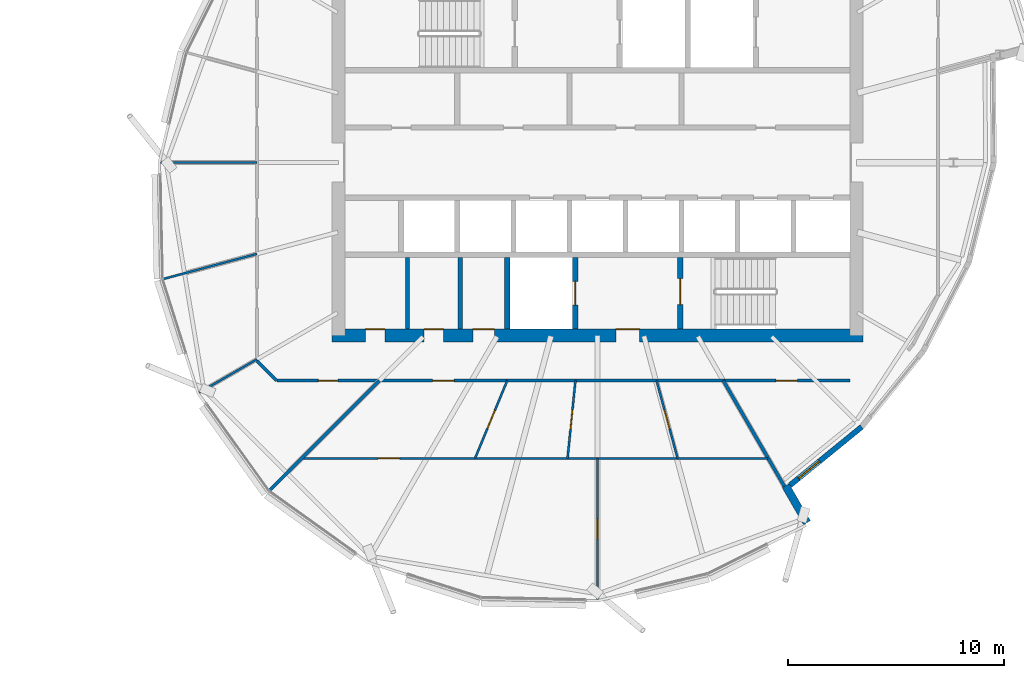
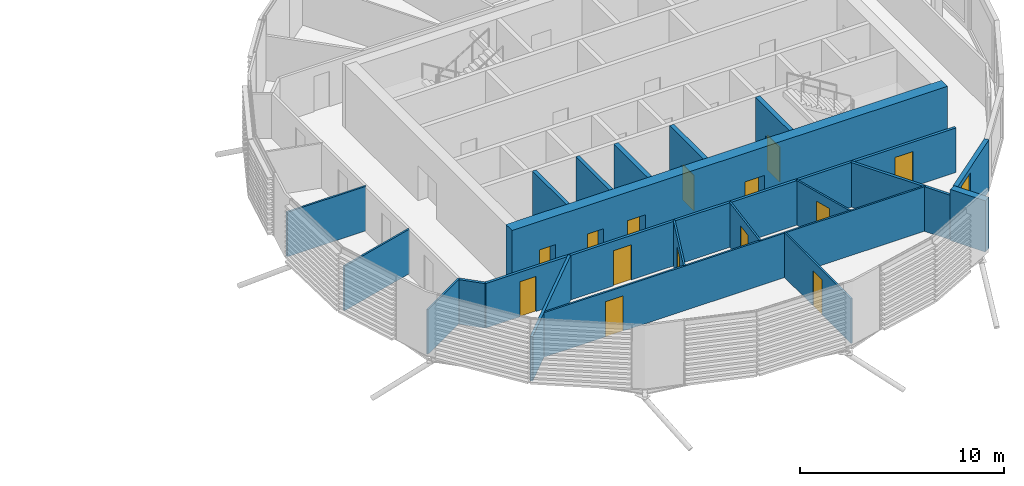
# One storey, part 21 of 36: 21 walls, 14 doors, 1 window, 15 openings.
"""IFC4 building model written with IfcOpenShell, lengths in metres."""

from ifc_helpers import new_model, si_unit, direction, frame, frame_2d, origin, place, context, subcontext, project, spatial, rectangle, extrude, material, layer, layer_set, type_object, element, fill, save


model = new_model("IFC4")

# Units and contexts
model_context = context("Model", 3, precision=1e-05, world=origin(), true_north=direction((0.0, 1.0)))
body_context = subcontext(model_context, "Body", "Model", "MODEL_VIEW")
ifc_project = project(units=[si_unit("LENGTHUNIT", "METRE"), si_unit("AREAUNIT", "SQUARE_METRE"), si_unit("VOLUMEUNIT", "CUBIC_METRE"), si_unit("PLANEANGLEUNIT", "RADIAN"), si_unit("MASSUNIT", "GRAM", prefix="KILO")], contexts=[model_context])

# Site, building, storey
site_placement = place(None, origin())
site = spatial("IfcSite", under=ifc_project, at=site_placement, CompositionType="ELEMENT")
building_placement = place(site_placement, origin())
building = spatial("IfcBuilding", under=site, at=building_placement, Name="Rimbun Link Towers", CompositionType="ELEMENT")
storey_placement = place(building_placement, frame((0.0, 0.0, 200.699951171875)))
storey = spatial("IfcBuildingStorey", under=building, at=storey_placement, Name="L49", CompositionType="ELEMENT", Elevation=200.699951171875)

# Wall, opening, window
ifc_material_1 = material(Name="Dark enamelled glass spandrel on insulated aluminium backpan", Category="aluminium")
ifc_layer_1 = layer(ifc_material_1, 0.25)
ifc_layer_set_1 = layer_set([ifc_layer_1], Name="CS dark enamelled spandrel wall 250")
wall_type_1 = type_object("IfcWallType", Name="CS dark enamelled spandrel wall 250", PredefinedType="STANDARD", material=ifc_layer_set_1)
wall_1_placement = place(storey_placement, frame((43.988037109375, -12.238037109375, 0.0), z_axis=(0.0, 0.0, 1.0), x_axis=(-0.775356930416, -0.631523262007, 0.0)))
wall_1 = element("IfcWall", 1, at=wall_1_placement, inside=storey, type_object=wall_type_1, Name="Crease spandrel wall", PredefinedType="STANDARD", context=body_context, shape_type="SweptSolid", body=[
    extrude(rectangle(XDim=4.2841796875, YDim=0.25, at=frame_2d((2.14208984375, 0.0))), origin(), (0.0, 0.0, 1.0), 3.05712890625),
])
opening_1_placement = place(wall_1_placement, frame((2.525390625, 0.0, 0.300048828125)))
opening_1 = element("IfcOpeningElement", 2, at=opening_1_placement, cuts=wall_1, Name="Opening WR12H245", PredefinedType="OPENING", context=body_context, shape_type="SweptSolid", body=[
    extrude(rectangle(XDim=1.25, YDim=2.449951171875, at=frame_2d((0.625, 1.22509765625))), frame((0.0, 0.135009765625, 0.0), z_axis=(0.0, -1.0, 0.0), x_axis=(1.0, 0.0, 0.0)), (0.0, 0.0, 1.0), 0.27001953125),
])
ifc_material_2 = material(Name="Aluminium framed fixed window, dark tinted low-e glass", Category="aluminium")
window_type = type_object("IfcWindowType", Name="WR ribbon window 1250X2450", PartitioningType="SINGLE_PANEL", PredefinedType="WINDOW", material=ifc_material_2)
window_placement = place(opening_1_placement, origin())
window = element("IfcWindow", 3, at=window_placement, inside=storey, type_object=window_type, Name="Crease ribbon window", OverallHeight=2.449951171875, OverallWidth=1.25, PartitioningType="SINGLE_PANEL", PredefinedType="WINDOW", context=body_context, shape_type="SweptSolid", body=[
    extrude(rectangle(XDim=1.25, YDim=2.449951171875, at=frame_2d((0.625, 1.22509765625))), frame((0.0, 0.030029296875, 0.0), z_axis=(0.0, -1.0, 0.0), x_axis=(1.0, 0.0, 0.0)), (0.0, 0.0, 1.0), 0.06005859375),
])
fill(opening_1, window)

# Walls
ifc_material_3 = material(Name="Dark enamelled glass spandrel on insulated aluminium backpan", Category="aluminium")
ifc_layer_2 = layer(ifc_material_3, 0.3701171875)
ifc_layer_set_2 = layer_set([ifc_layer_2], Name="CS dark enamelled spandrel wall 370")
wall_type_2 = type_object("IfcWallType", Name="CS dark enamelled spandrel wall 370", PredefinedType="STANDARD", material=ifc_layer_set_2)
wall_2_placement = place(storey_placement, frame((40.462890625, -14.961181640625, 0.0), z_axis=(0.0, 0.0, 1.0), x_axis=(0.499971491109, -0.866041862775, 0.0)))
element("IfcWall", 4, at=wall_2_placement, inside=storey, type_object=wall_type_2, Name="Crease spandrel wall", PredefinedType="STANDARD", context=body_context, shape_type="SweptSolid", body=[
    extrude(rectangle(XDim=1.97998046875, YDim=0.3701171875, at=frame_2d((0.989990234375, 0.0))), origin(), (0.0, 0.0, 1.0), 3.05712890625),
])
ifc_material_4 = material(Name="Masonry blockwork", Category="masonry")
ifc_layer_3 = layer(ifc_material_4, 0.199951171875)
ifc_layer_set_3 = layer_set([ifc_layer_3], Name="Core partition 200")
wall_type_3 = type_object("IfcWallType", Name="Core partition 200", PredefinedType="PARTITIONING", material=ifc_layer_set_3)
for number, where, z_axis, x_axis, name in (
    (5, (22.949951171875, -4.39990234375, 0.0), (0.0, 0.0, 1.0), (0.0, -1.0, 0.0), "L49 T2 core wall C1"),
    (6, (25.39990234375, -4.39990234375, 0.0), (0.0, 0.0, 1.0), (0.0, -1.0, 0.0), "L49 T2 core wall C2"),
):
    element("IfcWall", number, at=place(storey_placement, frame(where, z_axis=z_axis, x_axis=x_axis)), inside=storey, type_object=wall_type_3, Name=name, PredefinedType="PARTITIONING", context=body_context, shape_type="SweptSolid", body=[
        extrude(rectangle(XDim=3.300048828125, YDim=0.199951171875, at=frame_2d((1.64990234375, 0.0))), origin(), (0.0, 0.0, 1.0), 3.800048828125),
    ])

# Wall, openings, doors
ifc_material_5 = material(Name="Concrete C60/75", Category="concrete")
ifc_layer_4 = layer(ifc_material_5, 0.60009765625)
ifc_layer_set_4 = layer_set([ifc_layer_4], Name="Core shear wall 600")
wall_type_4 = type_object("IfcWallType", Name="Core shear wall 600", PredefinedType="SHEAR", material=ifc_layer_set_4)
wall_3_placement = place(storey_placement, frame((19.449951171875, -8.0, 0.0), z_axis=(0.0, 0.0, 1.0), x_axis=(1.0, 0.0, 0.0)))
wall_3 = element("IfcWall", 7, at=wall_3_placement, inside=storey, type_object=wall_type_4, Name="L49 T2 core wall S", PredefinedType="SHEAR", context=body_context, shape_type="SweptSolid", body=[
    extrude(rectangle(XDim=24.60009765625, YDim=0.60009765625, at=frame_2d((12.300048828125, 0.0))), origin(), (0.0, 0.0, 1.0), 3.800048828125),
])
opening_2_placement = place(wall_3_placement, frame((13.14990234375, 0.0, 0.0)))
opening_2 = element("IfcOpeningElement", 8, at=opening_2_placement, cuts=wall_3, Name="Opening C2DCF01S", PredefinedType="OPENING", context=body_context, shape_type="SweptSolid", body=[
    extrude(rectangle(XDim=1.10009765625, YDim=2.10009765625, at=frame_2d((0.550048828125, 1.050048828125))), frame((0.0, 0.31005859375, 0.0), z_axis=(0.0, -1.0, 0.0), x_axis=(1.0, 0.0, 0.0)), (0.0, 0.0, 1.0), 0.6201171875),
])
opening_3_placement = place(wall_3_placement, frame((1.550048828125, 0.0, 0.0)))
opening_3 = element("IfcOpeningElement", 9, at=opening_3_placement, cuts=wall_3, Name="Opening C2DWC02S", PredefinedType="OPENING", context=body_context, shape_type="SweptSolid", body=[
    extrude(rectangle(XDim=0.89990234375, YDim=2.10009765625, at=frame_2d((0.449951171875, 1.050048828125))), frame((0.0, 0.31005859375, 0.0), z_axis=(0.0, -1.0, 0.0), x_axis=(1.0, 0.0, 0.0)), (0.0, 0.0, 1.0), 0.6201171875),
])
opening_4_placement = place(wall_3_placement, frame((4.27490234375, 0.0, 0.0)))
opening_4 = element("IfcOpeningElement", 10, at=opening_4_placement, cuts=wall_3, Name="Opening C2DWC03S", PredefinedType="OPENING", context=body_context, shape_type="SweptSolid", body=[
    extrude(rectangle(XDim=0.89990234375, YDim=2.10009765625, at=frame_2d((0.449951171875, 1.050048828125))), frame((0.0, 0.31005859375, 0.0), z_axis=(0.0, -1.0, 0.0), x_axis=(1.0, 0.0, 0.0)), (0.0, 0.0, 1.0), 0.6201171875),
])
opening_5_placement = place(wall_3_placement, frame((6.52490234375, 0.0, 0.0)))
opening_5 = element("IfcOpeningElement", 11, at=opening_5_placement, cuts=wall_3, Name="Opening C2DAW04S", PredefinedType="OPENING", context=body_context, shape_type="SweptSolid", body=[
    extrude(rectangle(XDim=1.0, YDim=2.10009765625, at=frame_2d((0.5, 1.050048828125))), frame((0.0, 0.31005859375, 0.0), z_axis=(0.0, -1.0, 0.0), x_axis=(1.0, 0.0, 0.0)), (0.0, 0.0, 1.0), 0.6201171875),
])
ifc_material_6 = material(Name="Timber", Category="wood")
door_type_1 = type_object("IfcDoorType", Name="Accessible WC door", OperationType="SINGLE_SWING_LEFT", PredefinedType="DOOR", material=ifc_material_6)
door_1_placement = place(opening_5_placement, origin())
door_1 = element("IfcDoor", 12, at=door_1_placement, inside=storey, type_object=door_type_1, Name="L49 T2 accessible wc door", OperationType="SINGLE_SWING_RIGHT", OverallHeight=2.10009765625, OverallWidth=1.0, PredefinedType="DOOR", context=body_context, shape_type="SweptSolid", body=[
    extrude(rectangle(XDim=1.0, YDim=2.10009765625, at=frame_2d((0.5, 1.050048828125))), frame((0.0, 0.2998046875, 0.0), z_axis=(0.0, -1.0, 0.0), x_axis=(1.0, 0.0, 0.0)), (0.0, 0.0, 1.0), 0.050048828125),
])
fill(opening_5, door_1)
ifc_material_7 = material(Name="Steel fire door set", Category="steel")
door_type_2 = type_object("IfcDoorType", Name="Core fire door single", OperationType="SINGLE_SWING_LEFT", PredefinedType="DOOR", material=ifc_material_7)
door_2_placement = place(opening_2_placement, origin())
door_2 = element("IfcDoor", 13, at=door_2_placement, inside=storey, type_object=door_type_2, Name="L49 T2 firefighting lobby s door", OperationType="SINGLE_SWING_RIGHT", OverallHeight=2.10009765625, OverallWidth=1.10009765625, PredefinedType="DOOR", context=body_context, shape_type="SweptSolid", body=[
    extrude(rectangle(XDim=1.10009765625, YDim=2.10009765625, at=frame_2d((0.550048828125, 1.050048828125))), frame((0.0, 0.2998046875, 0.0), z_axis=(0.0, -1.0, 0.0), x_axis=(1.0, 0.0, 0.0)), (0.0, 0.0, 1.0), 0.050048828125),
])
fill(opening_2, door_2)
ifc_material_8 = material(Name="Timber", Category="wood")
door_type_3 = type_object("IfcDoorType", Name="WC door", OperationType="SINGLE_SWING_LEFT", PredefinedType="DOOR", material=ifc_material_8)
door_3_placement = place(opening_3_placement, origin())
door_3 = element("IfcDoor", 14, at=door_3_placement, inside=storey, type_object=door_type_3, Name="L49 T2 male wc door", OperationType="SINGLE_SWING_LEFT", OverallHeight=2.10009765625, OverallWidth=0.89990234375, PredefinedType="DOOR", context=body_context, shape_type="SweptSolid", body=[
    extrude(rectangle(XDim=0.89990234375, YDim=2.10009765625, at=frame_2d((0.449951171875, 1.050048828125))), frame((0.0, 0.2998046875, 0.0), z_axis=(0.0, -1.0, 0.0), x_axis=(1.0, 0.0, 0.0)), (0.0, 0.0, 1.0), 0.050048828125),
])
fill(opening_3, door_3)
door_4_placement = place(opening_4_placement, origin())
door_4 = element("IfcDoor", 15, at=door_4_placement, inside=storey, type_object=door_type_3, Name="L49 T2 female wc door", OperationType="SINGLE_SWING_RIGHT", OverallHeight=2.10009765625, OverallWidth=0.89990234375, PredefinedType="DOOR", context=body_context, shape_type="SweptSolid", body=[
    extrude(rectangle(XDim=0.89990234375, YDim=2.10009765625, at=frame_2d((0.449951171875, 1.050048828125))), frame((0.0, 0.2998046875, 0.0), z_axis=(0.0, -1.0, 0.0), x_axis=(1.0, 0.0, 0.0)), (0.0, 0.0, 1.0), 0.050048828125),
])
fill(opening_4, door_4)

ifc_material_9 = material(Name="Plasterboard on steel stud, mineral wool", Category="steel")
ifc_layer_5 = layer(ifc_material_9, 0.14990234375)
ifc_layer_set_5 = layer_set([ifc_layer_5], Name="Corridor wall EI 30 150 mm")
wall_type_5 = type_object("IfcWallType", Name="Corridor wall EI 30 150 mm", PredefinedType="PARTITIONING", material=ifc_layer_set_5)
wall_4_placement = place(storey_placement, frame((43.44873046875, -10.094970703125, 0.0), z_axis=(0.0, 0.0, 1.0), x_axis=(-1.0, 0.0, 0.0)))
wall_4 = element("IfcWall", 16, at=wall_4_placement, inside=storey, type_object=wall_type_5, Name="Corridor wall EI 30 150 mm", PredefinedType="PARTITIONING", context=body_context, shape_type="SweptSolid", body=[
    extrude(rectangle(XDim=26.552490234375, YDim=0.14990234375, at=frame_2d((13.2763671875, 0.0))), origin(), (0.0, 0.0, 1.0), 2.662109375),
])
opening_6_placement = place(wall_4_placement, frame((23.72314453125, 0.0, 0.0)))
opening_6 = element("IfcOpeningElement", 17, at=opening_6_placement, cuts=wall_4, Name="Opening D02", PredefinedType="OPENING", context=body_context, shape_type="SweptSolid", body=[
    extrude(rectangle(XDim=0.89990234375, YDim=2.10009765625, at=frame_2d((0.449951171875, 1.050048828125))), frame((0.0, 0.0849609375, 0.0), z_axis=(0.0, -1.0, 0.0), x_axis=(1.0, 0.0, 0.0)), (0.0, 0.0, 1.0), 0.169921875),
])
opening_7_placement = place(wall_4_placement, frame((18.336181640625, 0.0, 0.0)))
opening_7 = element("IfcOpeningElement", 18, at=opening_7_placement, cuts=wall_4, Name="Opening D01", PredefinedType="OPENING", context=body_context, shape_type="SweptSolid", body=[
    extrude(rectangle(XDim=1.0, YDim=2.10009765625, at=frame_2d((0.5, 1.050048828125))), frame((0.0, 0.0849609375, 0.0), z_axis=(0.0, -1.0, 0.0), x_axis=(1.0, 0.0, 0.0)), (0.0, 0.0, 1.0), 0.169921875),
])
opening_8_placement = place(wall_4_placement, frame((2.435302734375, 0.0, 0.0)))
opening_8 = element("IfcOpeningElement", 19, at=opening_8_placement, cuts=wall_4, Name="Opening D01", PredefinedType="OPENING", context=body_context, shape_type="SweptSolid", body=[
    extrude(rectangle(XDim=1.0, YDim=2.10009765625, at=frame_2d((0.5, 1.050048828125))), frame((0.0, 0.0849609375, 0.0), z_axis=(0.0, -1.0, 0.0), x_axis=(1.0, 0.0, 0.0)), (0.0, 0.0, 1.0), 0.169921875),
])
ifc_material_10 = material(Name="Fire-resisting timber door leaf", Category="wood")
door_type_4 = type_object("IfcDoorType", Name="Fire door FD30S 1000", OperationType="NOTDEFINED", PredefinedType="DOOR", material=ifc_material_10)
door_5_placement = place(opening_7_placement, origin())
door_5 = element("IfcDoor", 20, at=door_5_placement, inside=storey, type_object=door_type_4, Name="Fire door FD30S 1000 to Tenant lobby", OperationType="SINGLE_SWING_RIGHT", OverallHeight=2.10009765625, OverallWidth=1.0, PredefinedType="DOOR", context=body_context, shape_type="SweptSolid", body=[
    extrude(rectangle(XDim=1.0, YDim=2.10009765625, at=frame_2d((0.5, 1.050048828125))), frame((0.0, 0.02490234375, 0.0), z_axis=(0.0, -1.0, 0.0), x_axis=(1.0, 0.0, 0.0)), (0.0, 0.0, 1.0), 0.050048828125),
])
fill(opening_7, door_5)
door_6_placement = place(opening_8_placement, origin())
door_6 = element("IfcDoor", 21, at=door_6_placement, inside=storey, type_object=door_type_4, Name="Fire door FD30S 1000 to Terrace office", OperationType="SINGLE_SWING_LEFT", OverallHeight=2.10009765625, OverallWidth=1.0, PredefinedType="DOOR", context=body_context, shape_type="SweptSolid", body=[
    extrude(rectangle(XDim=1.0, YDim=2.10009765625, at=frame_2d((0.5, 1.050048828125))), frame((0.0, 0.02490234375, 0.0), z_axis=(0.0, -1.0, 0.0), x_axis=(1.0, 0.0, 0.0)), (0.0, 0.0, 1.0), 0.050048828125),
])
fill(opening_8, door_6)
ifc_material_11 = material(Name="Fire-resisting timber door leaf", Category="wood")
door_type_5 = type_object("IfcDoorType", Name="Fire door FD30S 900", OperationType="NOTDEFINED", PredefinedType="DOOR", material=ifc_material_11)
door_7_placement = place(opening_6_placement, origin())
door_7 = element("IfcDoor", 22, at=door_7_placement, inside=storey, type_object=door_type_5, Name="Fire door FD30S 900 to Trading floor", OperationType="SINGLE_SWING_LEFT", OverallHeight=2.10009765625, OverallWidth=0.89990234375, PredefinedType="DOOR", context=body_context, shape_type="SweptSolid", body=[
    extrude(rectangle(XDim=0.89990234375, YDim=2.10009765625, at=frame_2d((0.449951171875, 1.050048828125))), frame((0.0, 0.02490234375, 0.0), z_axis=(0.0, -1.0, 0.0), x_axis=(1.0, 0.0, 0.0)), (0.0, 0.0, 1.0), 0.050048828125),
])
fill(opening_6, door_7)

# Walls
wall_5_placement = place(storey_placement, frame((15.97509765625, -9.173583984375, 0.0), z_axis=(0.0, 0.0, 1.0), x_axis=(0.707013081223, -0.707200468735, 0.0)))
element("IfcWall", 23, at=wall_5_placement, inside=storey, type_object=wall_type_5, Name="Corridor wall EI 30 150 mm", PredefinedType="PARTITIONING", context=body_context, shape_type="SweptSolid", body=[
    extrude(rectangle(XDim=1.302978515625, YDim=0.14990234375, at=frame_2d((0.6513671875, 0.0))), origin(), (0.0, 0.0, 1.0), 2.662109375),
])
ifc_material_12 = material(Name="Plasterboard on steel stud", Category="steel")
ifc_layer_6 = layer(ifc_material_12, 0.10009765625)
ifc_layer_set_6 = layer_set([ifc_layer_6], Name="Plasterboard partition 100 mm")
wall_type_6 = type_object("IfcWallType", Name="Plasterboard partition 100 mm", PredefinedType="PARTITIONING", material=ifc_layer_set_6)
wall_6_placement = place(storey_placement, frame((11.514892578125, 0.0, 0.0), z_axis=(0.0, 0.0, 1.0), x_axis=(1.0, 0.0, 0.0)))
element("IfcWall", 24, at=wall_6_placement, inside=storey, type_object=wall_type_6, Name="Plasterboard partition 100 mm", PredefinedType="PARTITIONING", context=body_context, shape_type="SweptSolid", body=[
    extrude(rectangle(XDim=4.460205078125, YDim=0.10009765625, at=frame_2d((2.22998046875, 0.0))), origin(), (0.0, 0.0, 1.0), 2.662109375),
])
wall_7_placement = place(storey_placement, frame((11.62841796875, -5.3916015625, 0.0), z_axis=(0.0, 0.0, 1.0), x_axis=(0.965919958881, 0.258840941576, 0.0)))
element("IfcWall", 25, at=wall_7_placement, inside=storey, type_object=wall_type_6, Name="Plasterboard partition 100 mm", PredefinedType="PARTITIONING", context=body_context, shape_type="SweptSolid", body=[
    extrude(rectangle(XDim=4.5, YDim=0.10009765625, at=frame_2d((2.25, 0.0))), origin(), (0.0, 0.0, 1.0), 2.662109375),
])
wall_8_placement = place(storey_placement, frame((13.30126953125, -10.6513671875, 0.0), z_axis=(0.0, 0.0, 1.0), x_axis=(0.866030202489, 0.499991688307, 0.0)))
element("IfcWall", 26, at=wall_8_placement, inside=storey, type_object=wall_type_6, Name="Plasterboard partition 100 mm", PredefinedType="PARTITIONING", context=body_context, shape_type="SweptSolid", body=[
    extrude(rectangle(XDim=3.08740234375, YDim=0.10009765625, at=frame_2d((1.543701171875, 0.0))), origin(), (0.0, 0.0, 1.0), 2.662109375),
])

# Wall, opening, door
wall_9_placement = place(storey_placement, frame((27.570068359375, -10.094970703125, 0.0), z_axis=(0.0, 0.0, 1.0), x_axis=(-0.382576833691, -0.923923679923, 0.0)))
wall_9 = element("IfcWall", 27, at=wall_9_placement, inside=storey, type_object=wall_type_6, Name="Plasterboard partition 100 mm", PredefinedType="PARTITIONING", context=body_context, shape_type="SweptSolid", body=[
    extrude(rectangle(XDim=3.896484375, YDim=0.10009765625, at=frame_2d((1.9482421875, 0.0))), origin(), (0.0, 0.0, 1.0), 2.662109375),
])
opening_9_placement = place(wall_9_placement, frame((1.498291015625, 0.0, 0.0)))
opening_9 = element("IfcOpeningElement", 28, at=opening_9_placement, cuts=wall_9, Name="Opening D04", PredefinedType="OPENING", context=body_context, shape_type="SweptSolid", body=[
    extrude(rectangle(XDim=0.89990234375, YDim=2.10009765625, at=frame_2d((0.449951171875, 1.050048828125))), frame((0.0, 0.06005859375, 0.0), z_axis=(0.0, -1.0, 0.0), x_axis=(1.0, 0.0, 0.0)), (0.0, 0.0, 1.0), 0.1201171875),
])
ifc_material_13 = material(Name="Timber door leaf", Category="wood")
door_type_6 = type_object("IfcDoorType", Name="Flush door 900", OperationType="NOTDEFINED", PredefinedType="DOOR", material=ifc_material_13)
door_8_placement = place(opening_9_placement, origin())
door_8 = element("IfcDoor", 29, at=door_8_placement, inside=storey, type_object=door_type_6, Name="Flush door 900 to Huddle room", OperationType="SINGLE_SWING_LEFT", OverallHeight=2.10009765625, OverallWidth=0.89990234375, PredefinedType="DOOR", context=body_context, shape_type="SweptSolid", body=[
    extrude(rectangle(XDim=0.89990234375, YDim=2.10009765625, at=frame_2d((0.449951171875, 1.050048828125))), frame((0.0, 0.02490234375, 0.0), z_axis=(0.0, -1.0, 0.0), x_axis=(1.0, 0.0, 0.0)), (0.0, 0.0, 1.0), 0.050048828125),
])
fill(opening_9, door_8)

wall_10_placement = place(storey_placement, frame((31.75, -13.695068359375, 0.0), z_axis=(0.0, 0.0, 1.0), x_axis=(-1.0, 0.0, 0.0)))
wall_10 = element("IfcWall", 30, at=wall_10_placement, inside=storey, type_object=wall_type_6, Name="Plasterboard partition 100 mm", PredefinedType="PARTITIONING", context=body_context, shape_type="SweptSolid", body=[
    extrude(rectangle(XDim=13.695068359375, YDim=0.10009765625, at=frame_2d((6.84765625, 0.0))), origin(), (0.0, 0.0, 1.0), 2.662109375),
])
opening_10_placement = place(wall_10_placement, frame((9.16650390625, 0.0, 0.0)))
opening_10 = element("IfcOpeningElement", 31, at=opening_10_placement, cuts=wall_10, Name="Opening D03", PredefinedType="OPENING", context=body_context, shape_type="SweptSolid", body=[
    extrude(rectangle(XDim=1.0, YDim=2.10009765625, at=frame_2d((0.5, 1.050048828125))), frame((0.0, 0.06005859375, 0.0), z_axis=(0.0, -1.0, 0.0), x_axis=(1.0, 0.0, 0.0)), (0.0, 0.0, 1.0), 0.1201171875),
])
ifc_material_14 = material(Name="Timber door leaf", Category="wood")
door_type_7 = type_object("IfcDoorType", Name="Flush door 1000", OperationType="NOTDEFINED", PredefinedType="DOOR", material=ifc_material_14)
door_9_placement = place(opening_10_placement, origin())
door_9 = element("IfcDoor", 32, at=door_9_placement, inside=storey, type_object=door_type_7, Name="Flush door 1000 to Open office", OperationType="SINGLE_SWING_RIGHT", OverallHeight=2.10009765625, OverallWidth=1.0, PredefinedType="DOOR", context=body_context, shape_type="SweptSolid", body=[
    extrude(rectangle(XDim=1.0, YDim=2.10009765625, at=frame_2d((0.5, 1.050048828125))), frame((0.0, 0.02490234375, 0.0), z_axis=(0.0, -1.0, 0.0), x_axis=(1.0, 0.0, 0.0)), (0.0, 0.0, 1.0), 0.050048828125),
])
fill(opening_10, door_9)

wall_11_placement = place(storey_placement, frame((30.728759765625, -10.094970703125, 0.0), z_axis=(0.0, 0.0, 1.0), x_axis=(-0.100666014528, -0.994920274956, 0.0)))
wall_11 = element("IfcWall", 33, at=wall_11_placement, inside=storey, type_object=wall_type_6, Name="Plasterboard partition 100 mm", PredefinedType="PARTITIONING", context=body_context, shape_type="SweptSolid", body=[
    extrude(rectangle(XDim=3.618408203125, YDim=0.10009765625, at=frame_2d((1.80908203125, 0.0))), origin(), (0.0, 0.0, 1.0), 2.662109375),
])
opening_11_placement = place(wall_11_placement, frame((1.359130859375, 0.0, 0.0)))
opening_11 = element("IfcOpeningElement", 34, at=opening_11_placement, cuts=wall_11, Name="Opening D04", PredefinedType="OPENING", context=body_context, shape_type="SweptSolid", body=[
    extrude(rectangle(XDim=0.89990234375, YDim=2.10009765625, at=frame_2d((0.449951171875, 1.050048828125))), frame((0.0, 0.06005859375, 0.0), z_axis=(0.0, -1.0, 0.0), x_axis=(1.0, 0.0, 0.0)), (0.0, 0.0, 1.0), 0.1201171875),
])
door_10_placement = place(opening_11_placement, origin())
door_10 = element("IfcDoor", 35, at=door_10_placement, inside=storey, type_object=door_type_6, Name="Flush door 900 to Huddle room", OperationType="SINGLE_SWING_RIGHT", OverallHeight=2.10009765625, OverallWidth=0.89990234375, PredefinedType="DOOR", context=body_context, shape_type="SweptSolid", body=[
    extrude(rectangle(XDim=0.89990234375, YDim=2.10009765625, at=frame_2d((0.449951171875, 1.050048828125))), frame((0.0, 0.02490234375, 0.0), z_axis=(0.0, -1.0, 0.0), x_axis=(1.0, 0.0, 0.0)), (0.0, 0.0, 1.0), 0.050048828125),
])
fill(opening_11, door_10)

wall_12_placement = place(storey_placement, frame((34.486572265625, -10.094970703125, 0.0), z_axis=(0.0, 0.0, 1.0), x_axis=(0.261616196564, -0.965171987625, 0.0)))
wall_12 = element("IfcWall", 36, at=wall_12_placement, inside=storey, type_object=wall_type_6, Name="Plasterboard partition 100 mm", PredefinedType="PARTITIONING", context=body_context, shape_type="SweptSolid", body=[
    extrude(rectangle(XDim=3.72998046875, YDim=0.10009765625, at=frame_2d((1.864990234375, 0.0))), origin(), (0.0, 0.0, 1.0), 2.662109375),
])
opening_12_placement = place(wall_12_placement, frame((1.4150390625, 0.0, 0.0)))
opening_12 = element("IfcOpeningElement", 37, at=opening_12_placement, cuts=wall_12, Name="Opening D04", PredefinedType="OPENING", context=body_context, shape_type="SweptSolid", body=[
    extrude(rectangle(XDim=0.89990234375, YDim=2.10009765625, at=frame_2d((0.449951171875, 1.050048828125))), frame((0.0, 0.06005859375, 0.0), z_axis=(0.0, -1.0, 0.0), x_axis=(1.0, 0.0, 0.0)), (0.0, 0.0, 1.0), 0.1201171875),
])
door_11_placement = place(opening_12_placement, origin())
door_11 = element("IfcDoor", 38, at=door_11_placement, inside=storey, type_object=door_type_6, Name="Flush door 900 to Pantry", OperationType="SINGLE_SWING_LEFT", OverallHeight=2.10009765625, OverallWidth=0.89990234375, PredefinedType="DOOR", context=body_context, shape_type="SweptSolid", body=[
    extrude(rectangle(XDim=0.89990234375, YDim=2.10009765625, at=frame_2d((0.449951171875, 1.050048828125))), frame((0.0, 0.02490234375, 0.0), z_axis=(0.0, -1.0, 0.0), x_axis=(1.0, 0.0, 0.0)), (0.0, 0.0, 1.0), 0.050048828125),
])
fill(opening_12, door_11)

# Wall
wall_13_placement = place(storey_placement, frame((31.75, -13.695068359375, 0.0), z_axis=(0.0, 0.0, 1.0), x_axis=(1.0, 0.0, 0.0)))
element("IfcWall", 39, at=wall_13_placement, inside=storey, type_object=wall_type_6, Name="Plasterboard partition 100 mm", PredefinedType="PARTITIONING", context=body_context, shape_type="SweptSolid", body=[
    extrude(rectangle(XDim=7.906982421875, YDim=0.10009765625, at=frame_2d((3.95361328125, 0.0))), origin(), (0.0, 0.0, 1.0), 2.662109375),
])

# Wall, opening, door
wall_14_placement = place(storey_placement, frame((31.75, -13.695068359375, 0.0), z_axis=(0.0, 0.0, 1.0), x_axis=(0.0, -1.0, 0.0)))
wall_14 = element("IfcWall", 40, at=wall_14_placement, inside=storey, type_object=wall_type_6, Name="Plasterboard partition 100 mm", PredefinedType="PARTITIONING", context=body_context, shape_type="SweptSolid", body=[
    extrude(rectangle(XDim=6.5400390625, YDim=0.10009765625, at=frame_2d((3.27001953125, 0.0))), origin(), (0.0, 0.0, 1.0), 2.662109375),
])
opening_13_placement = place(wall_14_placement, frame((2.820068359375, 0.0, 0.0)))
opening_13 = element("IfcOpeningElement", 41, at=opening_13_placement, cuts=wall_14, Name="Opening D04", PredefinedType="OPENING", context=body_context, shape_type="SweptSolid", body=[
    extrude(rectangle(XDim=0.89990234375, YDim=2.10009765625, at=frame_2d((0.449951171875, 1.050048828125))), frame((0.0, 0.06005859375, 0.0), z_axis=(0.0, -1.0, 0.0), x_axis=(1.0, 0.0, 0.0)), (0.0, 0.0, 1.0), 0.1201171875),
])
door_12_placement = place(opening_13_placement, origin())
door_12 = element("IfcDoor", 42, at=door_12_placement, inside=storey, type_object=door_type_6, Name="Flush door 900 to Project room", OperationType="SINGLE_SWING_LEFT", OverallHeight=2.10009765625, OverallWidth=0.89990234375, PredefinedType="DOOR", context=body_context, shape_type="SweptSolid", body=[
    extrude(rectangle(XDim=0.89990234375, YDim=2.10009765625, at=frame_2d((0.449951171875, 1.050048828125))), frame((0.0, 0.02490234375, 0.0), z_axis=(0.0, -1.0, 0.0), x_axis=(1.0, 0.0, 0.0)), (0.0, 0.0, 1.0), 0.050048828125),
])
fill(opening_13, door_12)

ifc_material_15 = material(Name="Concrete C60/75", Category="concrete")
ifc_layer_7 = layer(ifc_material_15, 0.25)
ifc_layer_set_7 = layer_set([ifc_layer_7], Name="Shaft wall 250")
wall_type_7 = type_object("IfcWallType", Name="Shaft wall 250", PredefinedType="SHEAR", material=ifc_layer_set_7)
wall_15_placement = place(storey_placement, frame((35.574951171875, -4.39990234375, 0.0), z_axis=(0.0, 0.0, 1.0), x_axis=(0.0, -1.0, 0.0)))
wall_15 = element("IfcWall", 43, at=wall_15_placement, inside=storey, type_object=wall_type_7, Name="L49 T2 core wall B1", PredefinedType="SHEAR", context=body_context, shape_type="SweptSolid", body=[
    extrude(rectangle(XDim=3.300048828125, YDim=0.25, at=frame_2d((1.64990234375, 0.0))), origin(), (0.0, 0.0, 1.0), 3.800048828125),
])
opening_14_placement = place(wall_15_placement, frame((0.97509765625, 0.0, 0.0)))
opening_14 = element("IfcOpeningElement", 44, at=opening_14_placement, cuts=wall_15, Name="Opening C2DST01B1", PredefinedType="OPENING", context=body_context, shape_type="SweptSolid", body=[
    extrude(rectangle(XDim=1.199951171875, YDim=2.10009765625, at=frame_2d((0.60009765625, 1.050048828125))), frame((0.0, 0.135009765625, 0.0), z_axis=(0.0, -1.0, 0.0), x_axis=(1.0, 0.0, 0.0)), (0.0, 0.0, 1.0), 0.27001953125),
])
ifc_material_16 = material(Name="Steel fire door set", Category="steel")
door_type_8 = type_object("IfcDoorType", Name="Stair door", OperationType="SINGLE_SWING_LEFT", PredefinedType="DOOR", material=ifc_material_16)
door_13_placement = place(opening_14_placement, origin())
door_13 = element("IfcDoor", 45, at=door_13_placement, inside=storey, type_object=door_type_8, Name="L49 T2 stair b door", OperationType="SINGLE_SWING_RIGHT", OverallHeight=2.10009765625, OverallWidth=1.199951171875, PredefinedType="DOOR", context=body_context, shape_type="SweptSolid", body=[
    extrude(rectangle(XDim=1.199951171875, YDim=2.10009765625, at=frame_2d((0.60009765625, 1.050048828125))), frame((0.0, 0.02490234375, 0.0), z_axis=(0.0, -1.0, 0.0), x_axis=(1.0, 0.0, 0.0)), (0.0, 0.0, 1.0), 0.050048828125),
])
fill(opening_14, door_13)

wall_16_placement = place(storey_placement, frame((30.72509765625, -4.39990234375, 0.0), z_axis=(0.0, 0.0, 1.0), x_axis=(0.0, -1.0, 0.0)))
wall_16 = element("IfcWall", 46, at=wall_16_placement, inside=storey, type_object=wall_type_7, Name="L49 T2 core wall B2", PredefinedType="SHEAR", context=body_context, shape_type="SweptSolid", body=[
    extrude(rectangle(XDim=3.300048828125, YDim=0.25, at=frame_2d((1.64990234375, 0.0))), origin(), (0.0, 0.0, 1.0), 3.800048828125),
])
opening_15_placement = place(wall_16_placement, frame((1.10009765625, 0.0, 0.0)))
opening_15 = element("IfcOpeningElement", 47, at=opening_15_placement, cuts=wall_16, Name="Opening LD-T2-FF2", PredefinedType="OPENING", context=body_context, shape_type="SweptSolid", body=[
    extrude(rectangle(XDim=1.10009765625, YDim=2.10009765625, at=frame_2d((0.550048828125, 1.050048828125))), frame((0.0, 0.135009765625, 0.0), z_axis=(0.0, -1.0, 0.0), x_axis=(1.0, 0.0, 0.0)), (0.0, 0.0, 1.0), 0.27001953125),
])
ifc_material_17 = material(Name="Stainless steel grade 316", Category="steel")
door_type_9 = type_object("IfcDoorType", Name="Lift landing door", OperationType="DOUBLE_DOOR_SLIDING", PredefinedType="DOOR", material=ifc_material_17)
door_14_placement = place(opening_15_placement, origin())
door_14 = element("IfcDoor", 48, at=door_14_placement, inside=storey, type_object=door_type_9, Name="L49 T2 lift FF2 landing door", OperationType="DOUBLE_DOOR_SLIDING", OverallHeight=2.10009765625, OverallWidth=1.10009765625, PredefinedType="DOOR", context=body_context, shape_type="SweptSolid", body=[
    extrude(rectangle(XDim=1.10009765625, YDim=2.10009765625, at=frame_2d((0.550048828125, 1.050048828125))), frame((0.0, 0.02490234375, 0.0), z_axis=(0.0, -1.0, 0.0), x_axis=(1.0, 0.0, 0.0)), (0.0, 0.0, 1.0), 0.050048828125),
])
fill(opening_15, door_14)

# Walls
wall_17_placement = place(storey_placement, frame((27.574951171875, -4.39990234375, 0.0), z_axis=(0.0, 0.0, 1.0), x_axis=(0.0, -1.0, 0.0)))
element("IfcWall", 49, at=wall_17_placement, inside=storey, type_object=wall_type_7, Name="L49 T2 core wall B3", PredefinedType="SHEAR", context=body_context, shape_type="SweptSolid", body=[
    extrude(rectangle(XDim=3.300048828125, YDim=0.25, at=frame_2d((1.64990234375, 0.0))), origin(), (0.0, 0.0, 1.0), 3.800048828125),
])
ifc_material_18 = material(Name="Plasterboard on steel stud, mineral wool", Category="steel")
ifc_layer_8 = layer(ifc_material_18, 0.14990234375)
ifc_layer_set_8 = layer_set([ifc_layer_8], Name="Tenancy separation wall EI 60 150 mm")
wall_type_8 = type_object("IfcWallType", Name="Tenancy separation wall EI 60 150 mm", PredefinedType="PARTITIONING", material=ifc_layer_set_8)
wall_18_placement = place(storey_placement, frame((21.655029296875, -10.094970703125, 0.0), z_axis=(0.0, 0.0, 1.0), x_axis=(-0.707106781187, -0.707106781187, 0.0)))
element("IfcWall", 50, at=wall_18_placement, inside=storey, type_object=wall_type_8, Name="Tenancy separation wall EI 60 150 mm", PredefinedType="PARTITIONING", context=body_context, shape_type="SweptSolid", body=[
    extrude(rectangle(XDim=7.20703125, YDim=0.14990234375, at=frame_2d((3.603515625, 0.0))), origin(), (0.0, 0.0, 1.0), 2.662109375),
])
wall_19_placement = place(storey_placement, frame((37.578369140625, -10.094970703125, 0.0), z_axis=(0.0, 0.0, 1.0), x_axis=(0.499996423147, -0.866027468871, 0.0)))
element("IfcWall", 51, at=wall_19_placement, inside=storey, type_object=wall_type_8, Name="Tenancy separation wall EI 60 150 mm", PredefinedType="PARTITIONING", context=body_context, shape_type="SweptSolid", body=[
    extrude(rectangle(XDim=5.65673828125, YDim=0.14990234375, at=frame_2d((2.828369140625, 0.0))), origin(), (0.0, 0.0, 1.0), 2.662109375),
])

save(model, "model.ifc")
